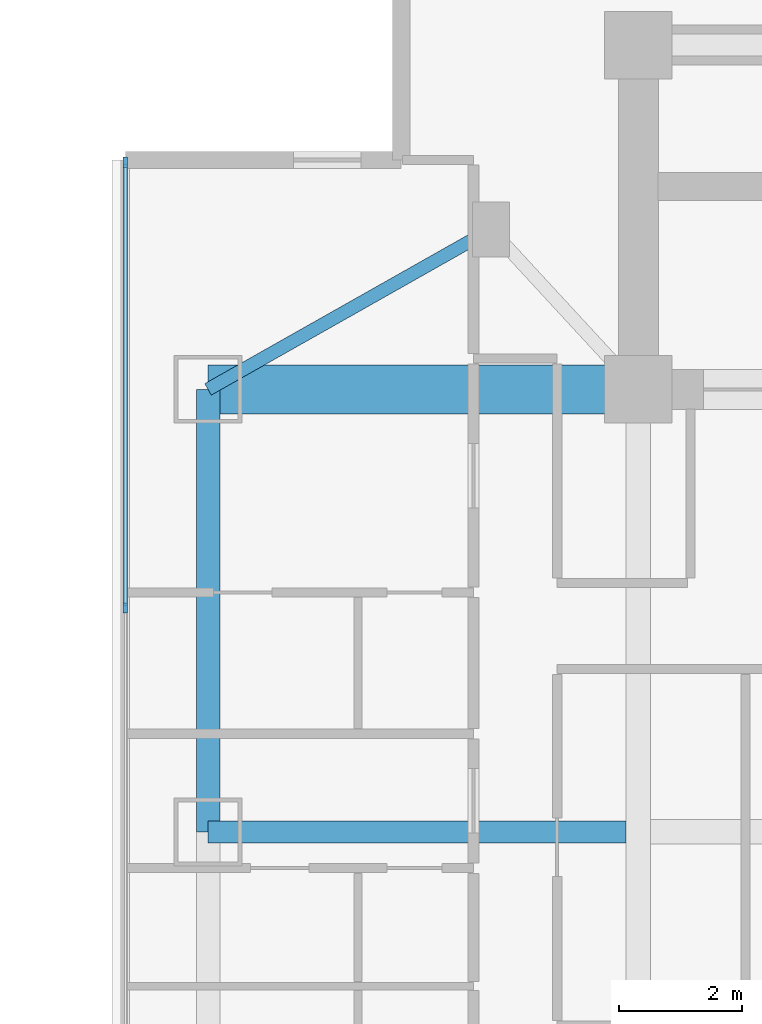
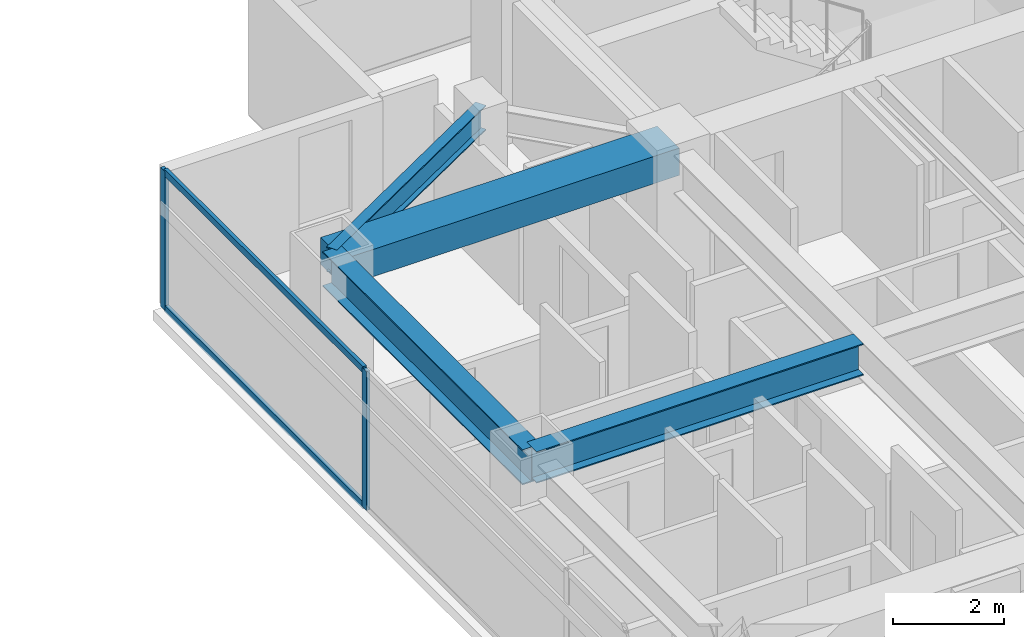
# One storey, part 7 of 24: 4 beams, 4 members, 1 element without a shape of its own.
"""IFC4 building model written with IfcOpenShell, lengths in metres."""

from ifc_helpers import new_model, si_unit, direction, frame, origin, origin_2d, place, context, subcontext, project, spatial, rectangle, i_section, extrude, material, material_profile, profile_set, type_object, element, aggregate, save


model = new_model("IFC4")

# Units and contexts
model_context = context("Model", 3, precision=1e-05, world=origin(), true_north=direction((0.0, 1.0)))
body_context = subcontext(model_context, "Body", "Model", "MODEL_VIEW")
ifc_project = project(units=[si_unit("LENGTHUNIT", "METRE"), si_unit("AREAUNIT", "SQUARE_METRE"), si_unit("VOLUMEUNIT", "CUBIC_METRE"), si_unit("PLANEANGLEUNIT", "RADIAN"), si_unit("MASSUNIT", "GRAM", prefix="KILO")], contexts=[model_context])

# Site, building, storey
site_placement = place(None, origin())
site = spatial("IfcSite", under=ifc_project, at=site_placement, CompositionType="ELEMENT")
building_placement = place(site_placement, origin())
building = spatial("IfcBuilding", under=site, at=building_placement, Name="Mirazonda Arch Towers", CompositionType="ELEMENT")
storey_placement = place(building_placement, frame((0.0, 0.0, 118.10009765625)))
storey = spatial("IfcBuildingStorey", under=building, at=storey_placement, Name="L33", CompositionType="ELEMENT", Elevation=118.10009765625)

# Beams
ifc_material_1 = material(Name="Steel ASTM A992 Grade 50", Category="steel")
ifc_material_profile_1 = material_profile(ifc_material_1, i_section(OverallWidth=0.381103515625, OverallDepth=0.77294921875, WebThickness=0.0166015625, FlangeThickness=0.027099609375, at=origin_2d()), Name="W30X173")
ifc_profile_set_1 = profile_set([ifc_material_profile_1], Name="Steel ASTM A992 Grade 50")
beam_type_1 = type_object("IfcBeamType", Name="BM-EXT-W30X173", PredefinedType="USERDEFINED", material=ifc_profile_set_1)
beam_1_placement = place(storey_placement, frame((61.0, 28.0, 2.693359375), z_axis=(0.0, 1.0, 0.0), x_axis=(-1.0, 0.0, 0.0)))
element("IfcBeam", 1, at=beam_1_placement, inside=storey, type_object=beam_type_1, Name="L33 Floor Beam BM-T2-L33-NS-W-28", ObjectType="GIRDER", PredefinedType="USERDEFINED", context=body_context, shape_type="SweptSolid", body=[
    extrude(i_section(OverallWidth=0.381103515625, OverallDepth=0.77294921875, WebThickness=0.0166015625, FlangeThickness=0.027099609375, at=origin_2d()), origin(), (0.0, 0.0, 1.0), 7.199951171875),
])
ifc_material_profile_2 = material_profile(ifc_material_1, i_section(OverallWidth=0.214111328125, OverallDepth=0.549072265625, WebThickness=0.0146484375, FlangeThickness=0.023681640625, at=origin_2d()), Name="W21X93")
ifc_profile_set_2 = profile_set([ifc_material_profile_2], Name="Steel ASTM A992 Grade 50")
beam_type_2 = type_object("IfcBeamType", Name="BM-INT-W21X93", PredefinedType="BEAM", material=ifc_profile_set_2)
beam_2_placement = place(storey_placement, frame((65.60009765625, 37.800048828125, 2.805419921875), z_axis=(-0.870559396632, -0.492063346467, 0.0), x_axis=(0.492063346467, -0.870559396632, 0.0)))
element("IfcBeam", 2, at=beam_2_placement, inside=storey, type_object=beam_type_2, Name="L33 Floor Beam BM-T2-L33-PL-NW2", PredefinedType="BEAM", context=body_context, shape_type="SweptSolid", body=[
    extrude(i_section(OverallWidth=0.214111328125, OverallDepth=0.549072265625, WebThickness=0.0146484375, FlangeThickness=0.023681640625, at=origin_2d()), origin(), (0.0, 0.0, 1.0), 5.2841796875),
])
ifc_material_profile_3 = material_profile(ifc_material_1, i_section(OverallWidth=0.35498046875, OverallDepth=0.696044921875, WebThickness=0.015380859375, FlangeThickness=0.02490234375, at=origin_2d()), Name="W27X146")
ifc_profile_set_3 = profile_set([ifc_material_profile_3], Name="Steel ASTM A992 Grade 50")
beam_type_3 = type_object("IfcBeamType", Name="BM-INT-W27X146", PredefinedType="BEAM", material=ifc_profile_set_3)
beam_3_placement = place(storey_placement, frame((61.0, 28.0, 2.73193359375), z_axis=(1.0, 0.0, 0.0), x_axis=(0.0, 1.0, 0.0)))
element("IfcBeam", 3, at=beam_3_placement, inside=storey, type_object=beam_type_3, Name="L33 Floor Beam BM-T2-L33-GW2", PredefinedType="BEAM", context=body_context, shape_type="SweptSolid", body=[
    extrude(i_section(OverallWidth=0.35498046875, OverallDepth=0.696044921875, WebThickness=0.015380859375, FlangeThickness=0.02490234375, at=origin_2d()), origin(), (0.0, 0.0, 1.0), 6.800048828125),
])
ifc_material_2 = material(Name="Concrete C60/75", Category="concrete")
ifc_material_profile_4 = material_profile(ifc_material_2, rectangle(XDim=0.800048828125, YDim=0.60009765625, at=origin_2d()), Name="RCCB800x600")
ifc_profile_set_4 = profile_set([ifc_material_profile_4], Name="Concrete C60/75")
beam_type_4 = type_object("IfcBeamType", Name="CB-INT-RCCB800x600", PredefinedType="SPANDREL", material=ifc_profile_set_4)
beam_4_placement = place(storey_placement, frame((61.0, 35.199951171875, 2.77978515625), z_axis=(1.0, 0.0, 0.0), x_axis=(0.0, 1.0, 0.0)))
element("IfcBeam", 4, at=beam_4_placement, inside=storey, type_object=beam_type_4, Name="L33 Floor Beam CBC-T2-L33-NW", PredefinedType="SPANDREL", context=body_context, shape_type="SweptSolid", body=[
    extrude(rectangle(XDim=0.800048828125, YDim=0.60009765625, at=origin_2d()), origin(), (0.0, 0.0, 1.0), 7.0),
])

# Curtain wall, members
ifc_material_3 = material(Name="Anodised Aluminium and Low-E Glass", Category="aluminium")
curtain_wall_type = type_object("IfcCurtainWallType", Name="CW-HTL-UNIT", PredefinedType="NOTDEFINED", material=ifc_material_3)
curtain_wall_placement = place(storey_placement, origin())
curtain_wall = element("IfcCurtainWall", 5, at=curtain_wall_placement, inside=storey, type_object=curtain_wall_type, Name="L33 T2 W Facade CW-L33-T2-W", PredefinedType="NOTDEFINED")
ifc_material_4 = material(Name="Anodised Aluminium Alloy", Category="aluminium")
ifc_material_profile_5 = material_profile(ifc_material_4, rectangle(XDim=0.074951171875, YDim=0.1650390625, at=origin_2d()), Name="ALU-MULL-75x165")
ifc_profile_set_5 = profile_set([ifc_material_profile_5], Name="Anodised Aluminium Alloy")
member_type_1 = type_object("IfcMemberType", Name="MULL-CW-HTL-UNIT", PredefinedType="MULLION", material=ifc_profile_set_5)
member_1_placement = place(storey_placement, frame((59.655029296875, 38.89501953125, 0.0), z_axis=(0.0, 0.0, 1.0), x_axis=(1.0, 0.0, 0.0)))
member_1 = element("IfcMember", 6, at=member_1_placement, type_object=member_type_1, Name="CW-112 mullion 1", PredefinedType="MULLION", context=body_context, shape_type="SweptSolid", body=[
    extrude(rectangle(XDim=0.074951171875, YDim=0.1650390625, at=origin_2d()), origin(), (0.0, 0.0, 1.0), 3.059814453125),
])
member_2_placement = place(storey_placement, frame((59.655029296875, 31.644287109375, 0.0), z_axis=(0.0, 0.0, 1.0), x_axis=(1.0, 0.0, 0.0)))
member_2 = element("IfcMember", 7, at=member_2_placement, type_object=member_type_1, Name="CW-112 mullion 2", PredefinedType="MULLION", context=body_context, shape_type="SweptSolid", body=[
    extrude(rectangle(XDim=0.074951171875, YDim=0.1650390625, at=origin_2d()), origin(), (0.0, 0.0, 1.0), 3.059814453125),
])
ifc_material_profile_6 = material_profile(ifc_material_4, rectangle(XDim=0.074951171875, YDim=0.14501953125, at=origin_2d()), Name="ALU-TRAN-75x145")
ifc_profile_set_6 = profile_set([ifc_material_profile_6], Name="Anodised Aluminium Alloy")
member_type_2 = type_object("IfcMemberType", Name="TRAN-CW-HTL-UNIT", PredefinedType="USERDEFINED", material=ifc_profile_set_6)
member_3_placement = place(storey_placement, frame((59.655029296875, 38.857421875, 0.037353515625), z_axis=(0.0, -1.0, 0.0), x_axis=(1.0, 0.0, 0.0)))
member_3 = element("IfcMember", 8, at=member_3_placement, type_object=member_type_2, Name="CW-112 transom 1.1", ObjectType="TRANSOM", PredefinedType="USERDEFINED", context=body_context, shape_type="SweptSolid", body=[
    extrude(rectangle(XDim=0.074951171875, YDim=0.14501953125, at=origin_2d()), origin(), (0.0, 0.0, 1.0), 7.17578125),
])
member_4_placement = place(storey_placement, frame((59.655029296875, 38.857421875, 3.0224609375), z_axis=(0.0, -1.0, 0.0), x_axis=(1.0, 0.0, 0.0)))
member_4 = element("IfcMember", 9, at=member_4_placement, type_object=member_type_2, Name="CW-112 transom 1.2", ObjectType="TRANSOM", PredefinedType="USERDEFINED", context=body_context, shape_type="SweptSolid", body=[
    extrude(rectangle(XDim=0.074951171875, YDim=0.14501953125, at=origin_2d()), origin(), (0.0, 0.0, 1.0), 7.17578125),
])
aggregate(curtain_wall, [member_1, member_2, member_3, member_4])

save(model, "model.ifc")
